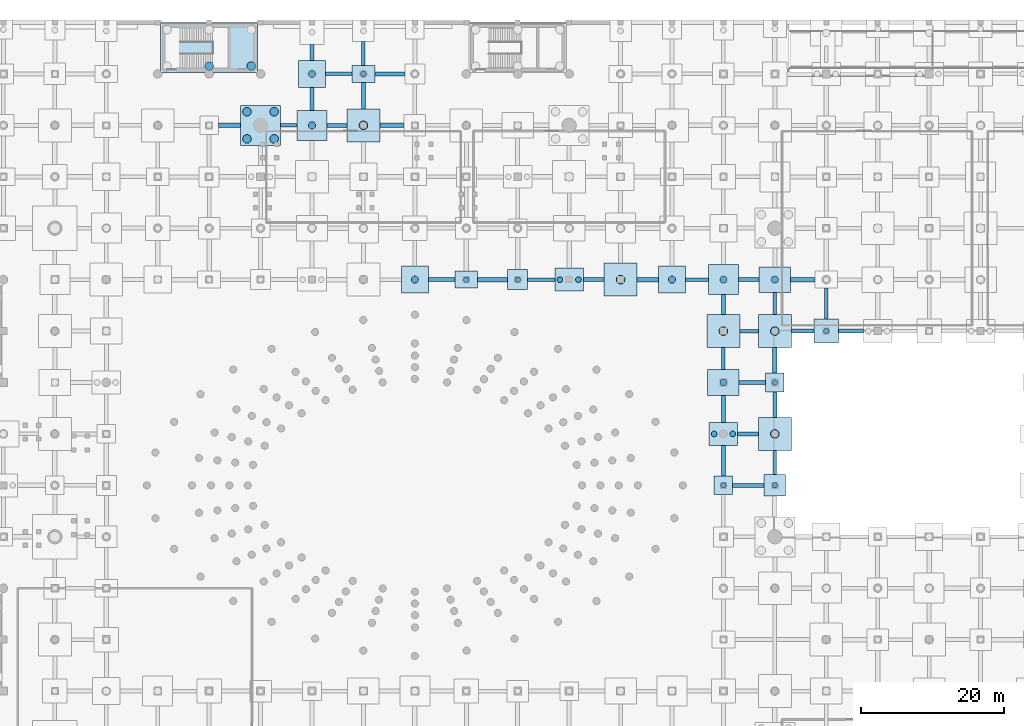
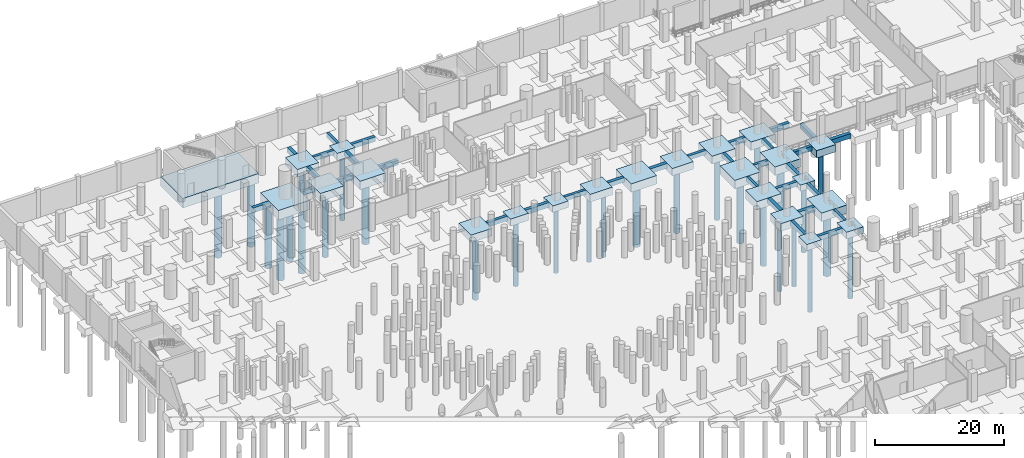
# One storey, part 9 of 37: 56 footings, 29 piles.
"""IFC4 building model written with IfcOpenShell, lengths in metres."""

import ifcopenshell
import ifcopenshell.guid

model = None  # the IFC model being written
_history = None  # IfcOwnerHistory: only IFC2X3 demands one
_inside = {}  # id of a spatial element -> (the spatial element, [elements in it])
_under = {}  # id of a project, library or spatial element -> (it, [spatial elements below it])
_declared = {}  # id of a project -> (the project, [libraries it declares])
_typed = {}  # id of a type object -> (the type object, [elements of that type])
_made_of = {}  # id of a material, layer set ... -> (it, [elements and type objects made of it])


def new_model(schema):
    """Start an empty IFC model of exactly this schema.

    Asked for "IFC4X3", IfcOpenShell would pick the latest addendum, in which some entities
    have other attributes; the version numbers below select the first issue.
    IFC2X3 requires an IfcOwnerHistory on every rooted entity: one is made here for all.
    """
    global model, _history
    if schema == "IFC4X3":
        model = ifcopenshell.file(schema_version=(4, 3, 0, 0))
    else:
        model = ifcopenshell.file(schema=schema)
    _inside.clear()
    _under.clear()
    _declared.clear()
    _typed.clear()
    _made_of.clear()
    _history = None
    if model.schema == "IFC2X3":
        org = make("IfcOrganization", Name="unknown")
        user = make(
            "IfcPersonAndOrganization",
            ThePerson=make("IfcPerson", FamilyName="unknown"),
            TheOrganization=org,
        )
        app = make(
            "IfcApplication",
            ApplicationDeveloper=org,
            Version="unknown",
            ApplicationFullName="unknown",
            ApplicationIdentifier="unknown",
        )
        _history = make(
            "IfcOwnerHistory",
            OwningUser=user,
            OwningApplication=app,
            ChangeAction="ADDED",
            CreationDate=0,
        )
    return model


def make(cls, **values):
    """One entity of the class cls with the attributes given. An attribute that is None is left unset."""
    return model.create_entity(
        cls, **{name: value for name, value in values.items() if value is not None}
    )


def rooted(cls, **values):
    """An entity with a GlobalId (a new one), such as an element, a storey or a relation."""
    return make(cls, GlobalId=ifcopenshell.guid.new(), OwnerHistory=_history, **values)


def si_unit(unit_type, name, prefix=None):
    """IfcSIUnit, for example si_unit("LENGTHUNIT", "METRE", prefix="MILLI")."""
    return make("IfcSIUnit", UnitType=unit_type, Prefix=prefix, Name=name)


def assignment(units):
    """IfcUnitAssignment: the units of a project."""
    return None if units is None else make("IfcUnitAssignment", Units=units)


def point(xyz):
    """IfcCartesianPoint."""
    return None if xyz is None else make("IfcCartesianPoint", Coordinates=xyz)


def direction(xyz):
    """IfcDirection."""
    return None if xyz is None else make("IfcDirection", DirectionRatios=xyz)


def frame(location, z_axis=None, x_axis=None):
    """IfcAxis2Placement3D, a coordinate frame: its origin and axes. An axis left out is left unset."""
    return make(
        "IfcAxis2Placement3D",
        Location=point(location),
        Axis=direction(z_axis),
        RefDirection=direction(x_axis),
    )


def frame_2d(location, x_axis=None):
    """IfcAxis2Placement2D, a coordinate frame in the plane: its origin and x axis."""
    return make(
        "IfcAxis2Placement2D", Location=point(location), RefDirection=direction(x_axis)
    )


def origin():
    """The frame at (0, 0, 0) with its axes left unset."""
    return frame((0.0, 0.0, 0.0))


def origin_2d():
    """The frame at (0, 0) in the plane with its x axis left unset."""
    return frame_2d((0.0, 0.0))


def place(relative_to, where):
    """IfcLocalPlacement: puts the frame where relative to a parent placement (None: the world)."""
    return make(
        "IfcLocalPlacement", PlacementRelTo=relative_to, RelativePlacement=where
    )


def context(
    kind, dimensions, precision=None, world=None, true_north=None, identifier=None
):
    """IfcGeometricRepresentationContext, for example the 3D "Model" context."""
    return make(
        "IfcGeometricRepresentationContext",
        ContextIdentifier=identifier,
        ContextType=kind,
        CoordinateSpaceDimension=dimensions,
        Precision=precision,
        WorldCoordinateSystem=world,
        TrueNorth=true_north,
    )


def subcontext(parent, identifier, kind, view, scale=None):
    """IfcGeometricRepresentationSubContext, for example "Body" below "Model"."""
    return make(
        "IfcGeometricRepresentationSubContext",
        ContextIdentifier=identifier,
        ContextType=kind,
        ParentContext=parent,
        TargetScale=scale,
        TargetView=view,
    )


def project(units=None, contexts=None):
    """IfcProject with its units and contexts."""
    return rooted(
        "IfcProject",
        Name="project",
        RepresentationContexts=contexts,
        UnitsInContext=assignment(units),
    )


def spatial(cls, under=None, at=None, **own):
    """A site, building, storey or space (cls), placed at a placement, below another one or the project."""
    s = rooted(cls, ObjectPlacement=at, **own)
    if under is not None:
        _under.setdefault(under.id(), (under, []))[1].append(s)
    return s


def profile(cls, at=None, kind="AREA", **sizes):
    """A parametric profile (cls). Its sizes go by their IFC names, for example OverallWidth=200.0."""
    return make(cls, ProfileType=kind, Position=at, **sizes)


def rectangle(**sizes):
    """IfcRectangleProfileDef."""
    return profile("IfcRectangleProfileDef", **sizes)


def circle(**sizes):
    """IfcCircleProfileDef."""
    return profile("IfcCircleProfileDef", **sizes)


def extrude(swept, where, along, depth):
    """IfcExtrudedAreaSolid: the profile swept, set in the frame where, extruded along a direction by depth."""
    return make(
        "IfcExtrudedAreaSolid",
        SweptArea=swept,
        Position=where,
        ExtrudedDirection=direction(along),
        Depth=depth,
    )


def shape(context_of_items, identifier, shape_type, items):
    """IfcShapeRepresentation: the items that make up one representation, for example the "Body"."""
    return make(
        "IfcShapeRepresentation",
        ContextOfItems=context_of_items,
        RepresentationIdentifier=identifier,
        RepresentationType=shape_type,
        Items=items,
    )


def material(Name=None, Category=None):
    """IfcMaterial."""
    return make("IfcMaterial", Name=Name, Category=Category)


def material_profile(
    of_material, cross_section, Name=None, Category=None, Priority=None
):
    """IfcMaterialProfile: a cross section and its material."""
    return make(
        "IfcMaterialProfile",
        Name=Name,
        Material=of_material,
        Profile=cross_section,
        Priority=Priority,
        Category=Category,
    )


def profile_set(profiles, Name=None, composite=None):
    """IfcMaterialProfileSet."""
    return make(
        "IfcMaterialProfileSet",
        Name=Name,
        MaterialProfiles=profiles,
        CompositeProfile=composite,
    )


def made_of(thing, what):
    """Note that an element or type object is made of a material, layer set ...; save() writes the relation."""
    if what is not None:
        _made_of.setdefault(what.id(), (what, []))[1].append(thing)
    return thing


def type_object(cls, material=None, **own):
    """A type object (cls), such as IfcWallType, which elements share."""
    return made_of(rooted(cls, **own), material)


def element(
    cls,
    number,
    at=None,
    inside=None,
    cuts=None,
    type_object=None,
    material=None,
    context=None,
    identifier="Body",
    shape_type=None,
    held_by="IfcProductDefinitionShape",
    body=None,
    shapes=None,
    **own,
):
    """One element of the class cls, such as IfcWall. Its Tag is "e" and its number.

    at: its placement. inside: the storey or other place that contains it. cuts: it is an
    opening in that element (IfcRelVoidsElement). A single representation is given by context,
    identifier, shape_type and body (its items); several are given by shapes. held_by: the class
    of the entity that holds the representations. save() writes the other relations.
    """
    e = rooted(cls, Tag="e%d" % number, ObjectPlacement=at, **own)
    if body is not None:
        shapes = [shape(context, identifier, shape_type, body)]
    if shapes is not None:
        e.Representation = make(held_by, Representations=shapes)
    if inside is not None:
        _inside.setdefault(inside.id(), (inside, []))[1].append(e)
    if cuts is not None:
        rooted(
            "IfcRelVoidsElement", RelatingBuildingElement=cuts, RelatedOpeningElement=e
        )
    if type_object is not None:
        _typed.setdefault(type_object.id(), (type_object, []))[1].append(e)
    return made_of(e, material)


def aggregate(whole, parts):
    """IfcRelAggregates: a whole, such as a stair, and the parts it consists of."""
    return rooted("IfcRelAggregates", RelatingObject=whole, RelatedObjects=parts)


def save(model, path):
    """Write the relations noted so far, then the file.

    IfcRelAggregates (storeys below a building ...), IfcRelContainedInSpatialStructure (elements
    in a storey), IfcRelDefinesByType, IfcRelAssociatesMaterial and IfcRelDeclares: one each for
    every whole, place, type object, material and project.
    """
    for whole, parts in _under.values():
        aggregate(whole, parts)
    for where, things in _inside.values():
        rooted(
            "IfcRelContainedInSpatialStructure",
            RelatedElements=things,
            RelatingStructure=where,
        )
    for kind, things in _typed.values():
        rooted("IfcRelDefinesByType", RelatedObjects=things, RelatingType=kind)
    for what, things in _made_of.values():
        rooted("IfcRelAssociatesMaterial", RelatedObjects=things, RelatingMaterial=what)
    for by, libraries in _declared.values():
        rooted("IfcRelDeclares", RelatingContext=by, RelatedDefinitions=libraries)
    model.write(path)


model = new_model("IFC4")

# Units and contexts
model_context = context("Model", 3, precision=1e-05, world=origin(), true_north=direction((0.0, 1.0)))
body_context = subcontext(model_context, "Body", "Model", "MODEL_VIEW")
ifc_project = project(units=[si_unit("LENGTHUNIT", "METRE"), si_unit("AREAUNIT", "SQUARE_METRE"), si_unit("VOLUMEUNIT", "CUBIC_METRE"), si_unit("PLANEANGLEUNIT", "RADIAN"), si_unit("MASSUNIT", "GRAM", prefix="KILO")], contexts=[model_context])

# Site, building, storey
site_placement = place(None, origin())
site = spatial("IfcSite", under=ifc_project, at=site_placement, CompositionType="ELEMENT")
building_placement = place(site_placement, origin())
building = spatial("IfcBuilding", under=site, at=building_placement, Name="Qandorah Velis Arena", CompositionType="ELEMENT")
storey_placement = place(building_placement, frame((0.0, 0.0, -5.39990234375)))
storey = spatial("IfcBuildingStorey", under=building, at=storey_placement, Name="B1", CompositionType="ELEMENT", Elevation=-5.39990234375)

# Footings
ifc_material = material(Name="Concrete C40/50", Category="concrete")
footing_type_1 = type_object("IfcFootingType", Name="STR-CAP-PC10", PredefinedType="PILE_CAP", material=ifc_material)
for number, where, z_axis, x_axis, name in (
    (1, (108.0, 64.800048828125, -1.2001953125), (0.0, 0.0, 1.0), (1.0, 0.0, 0.0), "Pile cap CAP-B1-217"),
    (2, (115.199951171875, 79.199951171875, -1.2001953125), (0.0, 0.0, 1.0), (1.0, 0.0, 0.0), "Pile cap CAP-B1-237"),
):
    element("IfcFooting", number, at=place(storey_placement, frame(where, z_axis=z_axis, x_axis=x_axis)), inside=storey, type_object=footing_type_1, Name=name, PredefinedType="PILE_CAP", context=body_context, shape_type="SweptSolid", body=[
        extrude(rectangle(XDim=2.60009765625, YDim=2.60009765625, at=origin_2d()), origin(), (0.0, 0.0, 1.0), 1.199951171875),
    ])
footing_type_2 = type_object("IfcFootingType", Name="STR-CAP-PC11", PredefinedType="PILE_CAP", material=ifc_material)
footing_1_placement = place(storey_placement, frame((36.0, 126.050048828125, -1.80029296875), z_axis=(0.0, 0.0, 1.0), x_axis=(1.0, 0.0, 0.0)))
element("IfcFooting", 3, at=footing_1_placement, inside=storey, type_object=footing_type_2, Name="Pile cap CAP-CORE-CORE-03", PredefinedType="PILE_CAP", context=body_context, shape_type="SweptSolid", body=[
    extrude(rectangle(XDim=13.60009765625, YDim=6.89990234375, at=origin_2d()), origin(), (0.0, 0.0, 1.0), 1.800048828125),
])
footing_type_3 = type_object("IfcFootingType", Name="STR-CAP-PC14", PredefinedType="PILE_CAP", material=ifc_material)
for number, where, z_axis, x_axis, name in (
    (4, (86.39990234375, 93.60009765625, -1.4501953125), (0.0, 0.0, 1.0), (1.0, 0.0, 0.0), "Pile cap CAP-B1-178"),
    (5, (108.0, 72.0, -1.4501953125), (0.0, 0.0, 1.0), (1.0, 0.0, 0.0), "Pile cap CAP-B1-218"),
):
    element("IfcFooting", number, at=place(storey_placement, frame(where, z_axis=z_axis, x_axis=x_axis)), inside=storey, type_object=footing_type_3, Name=name, PredefinedType="PILE_CAP", context=body_context, shape_type="SweptSolid", body=[
        extrude(rectangle(XDim=4.0, YDim=3.199951171875, at=origin_2d()), origin(), (0.0, 0.0, 1.0), 1.449951171875),
    ])
footing_type_4 = type_object("IfcFootingType", Name="STR-CAP-PC15", PredefinedType="PILE_CAP", material=ifc_material)
for number, where, z_axis, x_axis, name in (
    (6, (108.0, 79.199951171875, -1.55029296875), (0.0, 0.0, 1.0), (1.0, 0.0, 0.0), "Pile cap CAP-B1-219"),
    (7, (115.199951171875, 93.60009765625, -1.55029296875), (0.0, 0.0, 1.0), (1.0, 0.0, 0.0), "Pile cap CAP-B1-239"),
):
    element("IfcFooting", number, at=place(storey_placement, frame(where, z_axis=z_axis, x_axis=x_axis)), inside=storey, type_object=footing_type_4, Name=name, PredefinedType="PILE_CAP", context=body_context, shape_type="SweptSolid", body=[
        extrude(rectangle(XDim=4.39990234375, YDim=3.60009765625, at=origin_2d()), origin(), (0.0, 0.0, 1.0), 1.550048828125),
    ])
footing_type_5 = type_object("IfcFootingType", Name="STR-CAP-PC2", PredefinedType="PILE_CAP", material=ifc_material)
footing_2_placement = place(storey_placement, frame((43.199951171875, 115.199951171875, -1.80029296875), z_axis=(0.0, 0.0, 1.0), x_axis=(1.0, 0.0, 0.0)))
element("IfcFooting", 8, at=footing_2_placement, inside=storey, type_object=footing_type_5, Name="Pile cap CAP-B1-109", PredefinedType="PILE_CAP", context=body_context, shape_type="SweptSolid", body=[
    extrude(rectangle(XDim=5.60009765625, YDim=5.60009765625, at=origin_2d()), origin(), (0.0, 0.0, 1.0), 1.800048828125),
])
footing_type_6 = type_object("IfcFootingType", Name="STR-CAP-PC3", PredefinedType="PILE_CAP", material=ifc_material)
for number, where, z_axis, x_axis, name in (
    (9, (57.60009765625, 115.199951171875, -1.60009765625), (0.0, 0.0, 1.0), (1.0, 0.0, 0.0), "Pile cap CAP-B1-133"),
    (10, (93.60009765625, 93.60009765625, -1.60009765625), (0.0, 0.0, 1.0), (1.0, 0.0, 0.0), "Pile cap CAP-B1-190"),
    (11, (108.0, 86.39990234375, -1.60009765625), (0.0, 0.0, 1.0), (1.0, 0.0, 0.0), "Pile cap CAP-B1-220"),
    (12, (115.199951171875, 72.0, -1.60009765625), (0.0, 0.0, 1.0), (1.0, 0.0, 0.0), "Pile cap CAP-B1-236"),
    (13, (115.199951171875, 86.39990234375, -1.60009765625), (0.0, 0.0, 1.0), (1.0, 0.0, 0.0), "Pile cap CAP-B1-238"),
):
    element("IfcFooting", number, at=place(storey_placement, frame(where, z_axis=z_axis, x_axis=x_axis)), inside=storey, type_object=footing_type_6, Name=name, PredefinedType="PILE_CAP", context=body_context, shape_type="SweptSolid", body=[
        extrude(rectangle(XDim=4.60009765625, YDim=4.60009765625, at=origin_2d()), origin(), (0.0, 0.0, 1.0), 1.60009765625),
    ])
footing_type_7 = type_object("IfcFootingType", Name="STR-CAP-PC4", PredefinedType="PILE_CAP", material=ifc_material)
for number, where, z_axis, x_axis, name in (
    (14, (50.39990234375, 115.199951171875, -1.5), (0.0, 0.0, 1.0), (1.0, 0.0, 0.0), "Pile cap CAP-B1-121"),
    (15, (108.0, 93.60009765625, -1.5), (0.0, 0.0, 1.0), (1.0, 0.0, 0.0), "Pile cap CAP-B1-221"),
):
    element("IfcFooting", number, at=place(storey_placement, frame(where, z_axis=z_axis, x_axis=x_axis)), inside=storey, type_object=footing_type_7, Name=name, PredefinedType="PILE_CAP", context=body_context, shape_type="SweptSolid", body=[
        extrude(rectangle(XDim=4.199951171875, YDim=4.199951171875, at=origin_2d()), origin(), (0.0, 0.0, 1.0), 1.5),
    ])
footing_type_8 = type_object("IfcFootingType", Name="STR-CAP-PC5", PredefinedType="PILE_CAP", material=ifc_material)
for number, where, z_axis, x_axis, name in (
    (16, (50.39990234375, 122.39990234375, -1.400146484375), (0.0, 0.0, 1.0), (1.0, 0.0, 0.0), "Pile cap CAP-B1-122"),
    (17, (64.800048828125, 93.60009765625, -1.400146484375), (0.0, 0.0, 1.0), (1.0, 0.0, 0.0), "Pile cap CAP-B1-142"),
    (18, (100.800048828125, 93.60009765625, -1.400146484375), (0.0, 0.0, 1.0), (1.0, 0.0, 0.0), "Pile cap CAP-B1-202"),
):
    element("IfcFooting", number, at=place(storey_placement, frame(where, z_axis=z_axis, x_axis=x_axis)), inside=storey, type_object=footing_type_8, Name=name, PredefinedType="PILE_CAP", context=body_context, shape_type="SweptSolid", body=[
        extrude(rectangle(XDim=3.800048828125, YDim=3.800048828125, at=origin_2d()), origin(), (0.0, 0.0, 1.0), 1.39990234375),
    ])
footing_type_9 = type_object("IfcFootingType", Name="STR-CAP-PC6", PredefinedType="PILE_CAP", material=ifc_material)
footing_3_placement = place(storey_placement, frame((122.39990234375, 86.39990234375, -1.400146484375), z_axis=(0.0, 0.0, 1.0), x_axis=(1.0, 0.0, 0.0)))
element("IfcFooting", 19, at=footing_3_placement, inside=storey, type_object=footing_type_9, Name="Pile cap CAP-B1-253", PredefinedType="PILE_CAP", context=body_context, shape_type="SweptSolid", body=[
    extrude(rectangle(XDim=3.39990234375, YDim=3.39990234375, at=origin_2d()), origin(), (0.0, 0.0, 1.0), 1.39990234375),
])
footing_type_10 = type_object("IfcFootingType", Name="STR-CAP-PC7", PredefinedType="PILE_CAP", material=ifc_material)
for number, where, z_axis, x_axis, name in (
    (20, (57.60009765625, 122.39990234375, -1.35009765625), (0.0, 0.0, 1.0), (1.0, 0.0, 0.0), "Pile cap CAP-B1-134"),
    (21, (72.0, 93.60009765625, -1.35009765625), (0.0, 0.0, 1.0), (1.0, 0.0, 0.0), "Pile cap CAP-B1-154"),
):
    element("IfcFooting", number, at=place(storey_placement, frame(where, z_axis=z_axis, x_axis=x_axis)), inside=storey, type_object=footing_type_10, Name=name, PredefinedType="PILE_CAP", context=body_context, shape_type="SweptSolid", body=[
        extrude(rectangle(XDim=3.199951171875, YDim=2.39990234375, at=origin_2d()), origin(), (0.0, 0.0, 1.0), 1.35009765625),
    ])
footing_type_11 = type_object("IfcFootingType", Name="STR-CAP-PC8", PredefinedType="PILE_CAP", material=ifc_material)
footing_4_placement = place(storey_placement, frame((115.199951171875, 64.800048828125, -1.30029296875), z_axis=(0.0, 0.0, 1.0), x_axis=(1.0, 0.0, 0.0)))
element("IfcFooting", 22, at=footing_4_placement, inside=storey, type_object=footing_type_11, Name="Pile cap CAP-B1-235", PredefinedType="PILE_CAP", context=body_context, shape_type="SweptSolid", body=[
    extrude(rectangle(XDim=3.0, YDim=3.0, at=origin_2d()), origin(), (0.0, 0.0, 1.0), 1.300048828125),
])
footing_type_12 = type_object("IfcFootingType", Name="STR-CAP-PC9", PredefinedType="PILE_CAP", material=ifc_material)
footing_5_placement = place(storey_placement, frame((79.199951171875, 93.60009765625, -1.25), z_axis=(0.0, 0.0, 1.0), x_axis=(1.0, 0.0, 0.0)))
element("IfcFooting", 23, at=footing_5_placement, inside=storey, type_object=footing_type_12, Name="Pile cap CAP-B1-166", PredefinedType="PILE_CAP", context=body_context, shape_type="SweptSolid", body=[
    extrude(rectangle(XDim=2.800048828125, YDim=2.800048828125, at=origin_2d()), origin(), (0.0, 0.0, 1.0), 1.25),
])
ifc_material_profile_1 = material_profile(ifc_material, rectangle(XDim=0.60009765625, YDim=0.89990234375, at=origin_2d()), Name="GB1 600x900")
ifc_profile_set_1 = profile_set([ifc_material_profile_1], Name="Concrete C40/50")
footing_type_13 = type_object("IfcFootingType", Name="STR-GB-FB1", PredefinedType="FOOTING_BEAM", material=ifc_profile_set_1)
footing_6_placement = place(storey_placement, frame((50.39990234375, 124.300048828125, -0.4501953125), z_axis=(0.0, 1.0, 0.0), x_axis=(-1.0, 0.0, 0.0)))
element("IfcFooting", 24, at=footing_6_placement, inside=storey, type_object=footing_type_13, Name="Ground tie beam GB-084", PredefinedType="FOOTING_BEAM", context=body_context, shape_type="SweptSolid", body=[
    extrude(rectangle(XDim=0.60009765625, YDim=0.89990234375, at=origin_2d()), origin(), (0.0, 0.0, 1.0), 2.219970703125),
])
footing_7_placement = place(storey_placement, frame((57.60009765625, 117.5, -0.4501953125), z_axis=(0.0, 1.0, 0.0), x_axis=(-1.0, 0.0, 0.0)))
element("IfcFooting", 25, at=footing_7_placement, inside=storey, type_object=footing_type_13, Name="Ground tie beam GB-093", PredefinedType="FOOTING_BEAM", context=body_context, shape_type="SweptSolid", body=[
    extrude(rectangle(XDim=0.60009765625, YDim=0.89990234375, at=origin_2d()), origin(), (0.0, 0.0, 1.0), 3.699951171875),
])
footing_8_placement = place(storey_placement, frame((108.0, 73.60009765625, -0.4501953125), z_axis=(0.0, 1.0, 0.0), x_axis=(-1.0, 0.0, 0.0)))
element("IfcFooting", 26, at=footing_8_placement, inside=storey, type_object=footing_type_13, Name="Ground tie beam GB-153", PredefinedType="FOOTING_BEAM", context=body_context, shape_type="SweptSolid", body=[
    extrude(rectangle(XDim=0.60009765625, YDim=0.89990234375, at=origin_2d()), origin(), (0.0, 0.0, 1.0), 3.7998046875),
])
footing_9_placement = place(storey_placement, frame((115.199951171875, 80.5, -0.4501953125), z_axis=(0.0, 1.0, 0.0), x_axis=(-1.0, 0.0, 0.0)))
element("IfcFooting", 27, at=footing_9_placement, inside=storey, type_object=footing_type_13, Name="Ground tie beam GB-171", PredefinedType="FOOTING_BEAM", context=body_context, shape_type="SweptSolid", body=[
    extrude(rectangle(XDim=0.60009765625, YDim=0.89990234375, at=origin_2d()), origin(), (0.0, 0.0, 1.0), 3.60009765625),
])
footing_10_placement = place(storey_placement, frame((110.0, 72.0, -0.4501953125), z_axis=(1.0, 0.0, 0.0), x_axis=(0.0, 1.0, 0.0)))
element("IfcFooting", 28, at=footing_10_placement, inside=storey, type_object=footing_type_13, Name="Ground tie beam GB-414", PredefinedType="FOOTING_BEAM", context=body_context, shape_type="SweptSolid", body=[
    extrude(rectangle(XDim=0.60009765625, YDim=0.89990234375, at=origin_2d()), origin(), (0.0, 0.0, 1.0), 2.89990234375),
])
footing_11_placement = place(storey_placement, frame((124.10009765625, 86.39990234375, -0.4501953125), z_axis=(1.0, 0.0, 0.0), x_axis=(0.0, 1.0, 0.0)))
element("IfcFooting", 29, at=footing_11_placement, inside=storey, type_object=footing_type_13, Name="Ground tie beam GB-423", PredefinedType="FOOTING_BEAM", context=body_context, shape_type="SweptSolid", body=[
    extrude(rectangle(XDim=0.60009765625, YDim=0.89990234375, at=origin_2d()), origin(), (0.0, 0.0, 1.0), 3.5),
])
footing_12_placement = place(storey_placement, frame((73.60009765625, 93.60009765625, -0.4501953125), z_axis=(1.0, 0.0, 0.0), x_axis=(0.0, 1.0, 0.0)))
element("IfcFooting", 30, at=footing_12_placement, inside=storey, type_object=footing_type_13, Name="Ground tie beam GB-435", PredefinedType="FOOTING_BEAM", context=body_context, shape_type="SweptSolid", body=[
    extrude(rectangle(XDim=0.60009765625, YDim=0.89990234375, at=origin_2d()), origin(), (0.0, 0.0, 1.0), 4.199951171875),
])
footing_13_placement = place(storey_placement, frame((95.89990234375, 93.60009765625, -0.4501953125), z_axis=(1.0, 0.0, 0.0), x_axis=(0.0, 1.0, 0.0)))
element("IfcFooting", 31, at=footing_13_placement, inside=storey, type_object=footing_type_13, Name="Ground tie beam GB-438", PredefinedType="FOOTING_BEAM", context=body_context, shape_type="SweptSolid", body=[
    extrude(rectangle(XDim=0.60009765625, YDim=0.89990234375, at=origin_2d()), origin(), (0.0, 0.0, 1.0), 3.0),
])
footing_14_placement = place(storey_placement, frame((117.39990234375, 93.60009765625, -0.4501953125), z_axis=(1.0, 0.0, 0.0), x_axis=(0.0, 1.0, 0.0)))
element("IfcFooting", 32, at=footing_14_placement, inside=storey, type_object=footing_type_13, Name="Ground tie beam GB-441", PredefinedType="FOOTING_BEAM", context=body_context, shape_type="SweptSolid", body=[
    extrude(rectangle(XDim=0.60009765625, YDim=0.89990234375, at=origin_2d()), origin(), (0.0, 0.0, 1.0), 3.400146484375),
])
footing_15_placement = place(storey_placement, frame((37.300048828125, 115.199951171875, -0.4501953125), z_axis=(1.0, 0.0, 0.0), x_axis=(0.0, 1.0, 0.0)))
element("IfcFooting", 33, at=footing_15_placement, inside=storey, type_object=footing_type_13, Name="Ground tie beam GB-495", PredefinedType="FOOTING_BEAM", context=body_context, shape_type="SweptSolid", body=[
    extrude(rectangle(XDim=0.60009765625, YDim=0.89990234375, at=origin_2d()), origin(), (0.0, 0.0, 1.0), 3.099853515625),
])
footing_16_placement = place(storey_placement, frame((59.89990234375, 115.199951171875, -0.4501953125), z_axis=(1.0, 0.0, 0.0), x_axis=(0.0, 1.0, 0.0)))
element("IfcFooting", 34, at=footing_16_placement, inside=storey, type_object=footing_type_13, Name="Ground tie beam GB-498", PredefinedType="FOOTING_BEAM", context=body_context, shape_type="SweptSolid", body=[
    extrude(rectangle(XDim=0.60009765625, YDim=0.89990234375, at=origin_2d()), origin(), (0.0, 0.0, 1.0), 3.400146484375),
])
ifc_material_profile_2 = material_profile(ifc_material, rectangle(XDim=0.5, YDim=0.800048828125, at=origin_2d()), Name="GB2 500x800")
ifc_profile_set_2 = profile_set([ifc_material_profile_2], Name="Concrete C40/50")
footing_type_14 = type_object("IfcFootingType", Name="STR-GB-FB2", PredefinedType="FOOTING_BEAM", material=ifc_profile_set_2)
footing_17_placement = place(storey_placement, frame((57.60009765625, 123.60009765625, -0.400146484375), z_axis=(0.0, 1.0, 0.0), x_axis=(-1.0, 0.0, 0.0)))
element("IfcFooting", 35, at=footing_17_placement, inside=storey, type_object=footing_type_14, Name="Ground tie beam GB-094", PredefinedType="FOOTING_BEAM", context=body_context, shape_type="SweptSolid", body=[
    extrude(rectangle(XDim=0.5, YDim=0.800048828125, at=origin_2d()), origin(), (0.0, 0.0, 1.0), 3.31982421875),
])
footing_18_placement = place(storey_placement, frame((108.0, 81.0, -0.400146484375), z_axis=(0.0, 1.0, 0.0), x_axis=(-1.0, 0.0, 0.0)))
element("IfcFooting", 36, at=footing_18_placement, inside=storey, type_object=footing_type_14, Name="Ground tie beam GB-154", PredefinedType="FOOTING_BEAM", context=body_context, shape_type="SweptSolid", body=[
    extrude(rectangle(XDim=0.5, YDim=0.800048828125, at=origin_2d()), origin(), (0.0, 0.0, 1.0), 3.10009765625),
])
footing_19_placement = place(storey_placement, frame((115.199951171875, 66.300048828125, -0.400146484375), z_axis=(0.0, 1.0, 0.0), x_axis=(-1.0, 0.0, 0.0)))
element("IfcFooting", 37, at=footing_19_placement, inside=storey, type_object=footing_type_14, Name="Ground tie beam GB-169", PredefinedType="FOOTING_BEAM", context=body_context, shape_type="SweptSolid", body=[
    extrude(rectangle(XDim=0.5, YDim=0.800048828125, at=origin_2d()), origin(), (0.0, 0.0, 1.0), 3.39990234375),
])
footing_20_placement = place(storey_placement, frame((115.199951171875, 88.699951171875, -0.400146484375), z_axis=(0.0, 1.0, 0.0), x_axis=(-1.0, 0.0, 0.0)))
element("IfcFooting", 38, at=footing_20_placement, inside=storey, type_object=footing_type_14, Name="Ground tie beam GB-172", PredefinedType="FOOTING_BEAM", context=body_context, shape_type="SweptSolid", body=[
    extrude(rectangle(XDim=0.5, YDim=0.800048828125, at=origin_2d()), origin(), (0.0, 0.0, 1.0), 3.10009765625),
])
footing_21_placement = place(storey_placement, frame((110.300048828125, 86.39990234375, -0.400146484375), z_axis=(1.0, 0.0, 0.0), x_axis=(0.0, 1.0, 0.0)))
element("IfcFooting", 39, at=footing_21_placement, inside=storey, type_object=footing_type_14, Name="Ground tie beam GB-421", PredefinedType="FOOTING_BEAM", context=body_context, shape_type="SweptSolid", body=[
    extrude(rectangle(XDim=0.5, YDim=0.800048828125, at=origin_2d()), origin(), (0.0, 0.0, 1.0), 2.599853515625),
])
footing_22_placement = place(storey_placement, frame((80.60009765625, 93.60009765625, -0.400146484375), z_axis=(1.0, 0.0, 0.0), x_axis=(0.0, 1.0, 0.0)))
element("IfcFooting", 40, at=footing_22_placement, inside=storey, type_object=footing_type_14, Name="Ground tie beam GB-436", PredefinedType="FOOTING_BEAM", context=body_context, shape_type="SweptSolid", body=[
    extrude(rectangle(XDim=0.5, YDim=0.800048828125, at=origin_2d()), origin(), (0.0, 0.0, 1.0), 3.7998046875),
])
footing_23_placement = place(storey_placement, frame((102.699951171875, 93.60009765625, -0.400146484375), z_axis=(1.0, 0.0, 0.0), x_axis=(0.0, 1.0, 0.0)))
element("IfcFooting", 41, at=footing_23_placement, inside=storey, type_object=footing_type_14, Name="Ground tie beam GB-439", PredefinedType="FOOTING_BEAM", context=body_context, shape_type="SweptSolid", body=[
    extrude(rectangle(XDim=0.5, YDim=0.800048828125, at=origin_2d()), origin(), (0.0, 0.0, 1.0), 3.199951171875),
])
footing_24_placement = place(storey_placement, frame((46.0, 115.199951171875, -0.400146484375), z_axis=(1.0, 0.0, 0.0), x_axis=(0.0, 1.0, 0.0)))
element("IfcFooting", 42, at=footing_24_placement, inside=storey, type_object=footing_type_14, Name="Ground tie beam GB-496", PredefinedType="FOOTING_BEAM", context=body_context, shape_type="SweptSolid", body=[
    extrude(rectangle(XDim=0.5, YDim=0.800048828125, at=origin_2d()), origin(), (0.0, 0.0, 1.0), 2.300048828125),
])
footing_25_placement = place(storey_placement, frame((52.300048828125, 122.39990234375, -0.400146484375), z_axis=(1.0, 0.0, 0.0), x_axis=(0.0, 1.0, 0.0)))
element("IfcFooting", 43, at=footing_25_placement, inside=storey, type_object=footing_type_14, Name="Ground tie beam GB-517", PredefinedType="FOOTING_BEAM", context=body_context, shape_type="SweptSolid", body=[
    extrude(rectangle(XDim=0.5, YDim=0.800048828125, at=origin_2d()), origin(), (0.0, 0.0, 1.0), 3.699951171875),
])
ifc_material_profile_3 = material_profile(ifc_material, rectangle(XDim=0.550048828125, YDim=0.85009765625, at=origin_2d()), Name="GB3 550x850")
ifc_profile_set_3 = profile_set([ifc_material_profile_3], Name="Concrete C40/50")
footing_type_15 = type_object("IfcFootingType", Name="STR-GB-FB3", PredefinedType="FOOTING_BEAM", material=ifc_profile_set_3)
footing_26_placement = place(storey_placement, frame((50.39990234375, 117.300048828125, -0.425048828125), z_axis=(0.0, 1.0, 0.0), x_axis=(-1.0, 0.0, 0.0)))
element("IfcFooting", 44, at=footing_26_placement, inside=storey, type_object=footing_type_15, Name="Ground tie beam GB-083", PredefinedType="FOOTING_BEAM", context=body_context, shape_type="SweptSolid", body=[
    extrude(rectangle(XDim=0.550048828125, YDim=0.85009765625, at=origin_2d()), origin(), (0.0, 0.0, 1.0), 3.199951171875),
])
footing_27_placement = place(storey_placement, frame((108.0, 66.10009765625, -0.425048828125), z_axis=(0.0, 1.0, 0.0), x_axis=(-1.0, 0.0, 0.0)))
element("IfcFooting", 45, at=footing_27_placement, inside=storey, type_object=footing_type_15, Name="Ground tie beam GB-152", PredefinedType="FOOTING_BEAM", context=body_context, shape_type="SweptSolid", body=[
    extrude(rectangle(XDim=0.550048828125, YDim=0.85009765625, at=origin_2d()), origin(), (0.0, 0.0, 1.0), 4.2998046875),
])
footing_28_placement = place(storey_placement, frame((108.0, 88.699951171875, -0.425048828125), z_axis=(0.0, 1.0, 0.0), x_axis=(-1.0, 0.0, 0.0)))
element("IfcFooting", 46, at=footing_28_placement, inside=storey, type_object=footing_type_15, Name="Ground tie beam GB-155", PredefinedType="FOOTING_BEAM", context=body_context, shape_type="SweptSolid", body=[
    extrude(rectangle(XDim=0.550048828125, YDim=0.85009765625, at=origin_2d()), origin(), (0.0, 0.0, 1.0), 2.800048828125),
])
footing_29_placement = place(storey_placement, frame((115.199951171875, 74.300048828125, -0.425048828125), z_axis=(0.0, 1.0, 0.0), x_axis=(-1.0, 0.0, 0.0)))
element("IfcFooting", 47, at=footing_29_placement, inside=storey, type_object=footing_type_15, Name="Ground tie beam GB-170", PredefinedType="FOOTING_BEAM", context=body_context, shape_type="SweptSolid", body=[
    extrude(rectangle(XDim=0.550048828125, YDim=0.85009765625, at=origin_2d()), origin(), (0.0, 0.0, 1.0), 3.599853515625),
])
footing_30_placement = place(storey_placement, frame((122.39990234375, 88.10009765625, -0.425048828125), z_axis=(0.0, 1.0, 0.0), x_axis=(-1.0, 0.0, 0.0)))
element("IfcFooting", 48, at=footing_30_placement, inside=storey, type_object=footing_type_15, Name="Ground tie beam GB-185", PredefinedType="FOOTING_BEAM", context=body_context, shape_type="SweptSolid", body=[
    extrude(rectangle(XDim=0.550048828125, YDim=0.85009765625, at=origin_2d()), origin(), (0.0, 0.0, 1.0), 4.2998046875),
])
footing_31_placement = place(storey_placement, frame((109.300048828125, 64.800048828125, -0.425048828125), z_axis=(1.0, 0.0, 0.0), x_axis=(0.0, 1.0, 0.0)))
element("IfcFooting", 49, at=footing_31_placement, inside=storey, type_object=footing_type_15, Name="Ground tie beam GB-407", PredefinedType="FOOTING_BEAM", context=body_context, shape_type="SweptSolid", body=[
    extrude(rectangle(XDim=0.550048828125, YDim=0.85009765625, at=origin_2d()), origin(), (0.0, 0.0, 1.0), 4.39990234375),
])
footing_32_placement = place(storey_placement, frame((110.199951171875, 79.199951171875, -0.425048828125), z_axis=(1.0, 0.0, 0.0), x_axis=(0.0, 1.0, 0.0)))
element("IfcFooting", 50, at=footing_32_placement, inside=storey, type_object=footing_type_15, Name="Ground tie beam GB-419", PredefinedType="FOOTING_BEAM", context=body_context, shape_type="SweptSolid", body=[
    extrude(rectangle(XDim=0.550048828125, YDim=0.85009765625, at=origin_2d()), origin(), (0.0, 0.0, 1.0), 3.699951171875),
])
footing_33_placement = place(storey_placement, frame((117.5, 86.39990234375, -0.425048828125), z_axis=(1.0, 0.0, 0.0), x_axis=(0.0, 1.0, 0.0)))
element("IfcFooting", 51, at=footing_33_placement, inside=storey, type_object=footing_type_15, Name="Ground tie beam GB-422", PredefinedType="FOOTING_BEAM", context=body_context, shape_type="SweptSolid", body=[
    extrude(rectangle(XDim=0.550048828125, YDim=0.85009765625, at=origin_2d()), origin(), (0.0, 0.0, 1.0), 3.199951171875),
])
footing_34_placement = place(storey_placement, frame((66.699951171875, 93.60009765625, -0.425048828125), z_axis=(1.0, 0.0, 0.0), x_axis=(0.0, 1.0, 0.0)))
element("IfcFooting", 52, at=footing_34_placement, inside=storey, type_object=footing_type_15, Name="Ground tie beam GB-434", PredefinedType="FOOTING_BEAM", context=body_context, shape_type="SweptSolid", body=[
    extrude(rectangle(XDim=0.550048828125, YDim=0.85009765625, at=origin_2d()), origin(), (0.0, 0.0, 1.0), 3.699951171875),
])
footing_35_placement = place(storey_placement, frame((88.39990234375, 93.60009765625, -0.425048828125), z_axis=(1.0, 0.0, 0.0), x_axis=(0.0, 1.0, 0.0)))
element("IfcFooting", 53, at=footing_35_placement, inside=storey, type_object=footing_type_15, Name="Ground tie beam GB-437", PredefinedType="FOOTING_BEAM", context=body_context, shape_type="SweptSolid", body=[
    extrude(rectangle(XDim=0.550048828125, YDim=0.85009765625, at=origin_2d()), origin(), (0.0, 0.0, 1.0), 2.900146484375),
])
footing_36_placement = place(storey_placement, frame((110.10009765625, 93.60009765625, -0.425048828125), z_axis=(1.0, 0.0, 0.0), x_axis=(0.0, 1.0, 0.0)))
element("IfcFooting", 54, at=footing_36_placement, inside=storey, type_object=footing_type_15, Name="Ground tie beam GB-440", PredefinedType="FOOTING_BEAM", context=body_context, shape_type="SweptSolid", body=[
    extrude(rectangle(XDim=0.550048828125, YDim=0.85009765625, at=origin_2d()), origin(), (0.0, 0.0, 1.0), 2.89990234375),
])
footing_37_placement = place(storey_placement, frame((52.5, 115.199951171875, -0.425048828125), z_axis=(1.0, 0.0, 0.0), x_axis=(0.0, 1.0, 0.0)))
element("IfcFooting", 55, at=footing_37_placement, inside=storey, type_object=footing_type_15, Name="Ground tie beam GB-497", PredefinedType="FOOTING_BEAM", context=body_context, shape_type="SweptSolid", body=[
    extrude(rectangle(XDim=0.550048828125, YDim=0.85009765625, at=origin_2d()), origin(), (0.0, 0.0, 1.0), 2.800048828125),
])
footing_38_placement = place(storey_placement, frame((59.199951171875, 122.39990234375, -0.425048828125), z_axis=(1.0, 0.0, 0.0), x_axis=(0.0, 1.0, 0.0)))
element("IfcFooting", 56, at=footing_38_placement, inside=storey, type_object=footing_type_15, Name="Ground tie beam GB-518", PredefinedType="FOOTING_BEAM", context=body_context, shape_type="SweptSolid", body=[
    extrude(rectangle(XDim=0.550048828125, YDim=0.85009765625, at=origin_2d()), origin(), (0.0, 0.0, 1.0), 4.199951171875),
])

# Piles
ifc_material_profile_4 = material_profile(ifc_material, circle(Radius=0.5, at=origin_2d()), Name="BORED PILE D1000")
ifc_profile_set_4 = profile_set([ifc_material_profile_4], Name="Concrete C40/50")
pile_type_1 = type_object("IfcPileType", Name="STR-PILE-BP1000", PredefinedType="BORED", material=ifc_profile_set_4)
pile_1_placement = place(storey_placement, frame((50.39990234375, 115.199951171875, -1.400146484375), z_axis=(0.0, 0.0, -1.0), x_axis=(1.0, 0.0, 0.0)))
element("IfcPile", 57, at=pile_1_placement, inside=storey, type_object=pile_type_1, Name="Bored pile PILE-CAP-B1-121-11", PredefinedType="BORED", context=body_context, shape_type="SweptSolid", body=[
    extrude(circle(Radius=0.5, at=origin_2d()), origin(), (0.0, 0.0, 1.0), 12.39990234375),
])
for number, where, z_axis, x_axis, name in (
    (58, (50.39990234375, 122.39990234375, -1.300048828125), (0.0, 0.0, -1.0), (1.0, 0.0, 0.0), "Bored pile PILE-CAP-B1-122-11"),
    (59, (64.800048828125, 93.60009765625, -1.300048828125), (0.0, 0.0, -1.0), (1.0, 0.0, 0.0), "Bored pile PILE-CAP-B1-142-11"),
    (60, (100.800048828125, 93.60009765625, -1.300048828125), (0.0, 0.0, -1.0), (1.0, 0.0, 0.0), "Bored pile PILE-CAP-B1-202-11"),
):
    element("IfcPile", number, at=place(storey_placement, frame(where, z_axis=z_axis, x_axis=x_axis)), inside=storey, type_object=pile_type_1, Name=name, PredefinedType="BORED", context=body_context, shape_type="SweptSolid", body=[
        extrude(circle(Radius=0.5, at=origin_2d()), origin(), (0.0, 0.0, 1.0), 12.5),
    ])
pile_2_placement = place(storey_placement, frame((108.0, 79.199951171875, -1.4501953125), z_axis=(0.0, 0.0, -1.0), x_axis=(1.0, 0.0, 0.0)))
element("IfcPile", 61, at=pile_2_placement, inside=storey, type_object=pile_type_1, Name="Bored pile PILE-CAP-B1-219-11", PredefinedType="BORED", context=body_context, shape_type="SweptSolid", body=[
    extrude(circle(Radius=0.5, at=origin_2d()), origin(), (0.0, 0.0, 1.0), 12.35009765625),
])
pile_3_placement = place(storey_placement, frame((108.0, 93.60009765625, -1.400146484375), z_axis=(0.0, 0.0, -1.0), x_axis=(1.0, 0.0, 0.0)))
element("IfcPile", 62, at=pile_3_placement, inside=storey, type_object=pile_type_1, Name="Bored pile PILE-CAP-B1-221-11", PredefinedType="BORED", context=body_context, shape_type="SweptSolid", body=[
    extrude(circle(Radius=0.5, at=origin_2d()), origin(), (0.0, 0.0, 1.0), 12.39990234375),
])
pile_4_placement = place(storey_placement, frame((115.199951171875, 93.60009765625, -1.4501953125), z_axis=(0.0, 0.0, -1.0), x_axis=(1.0, 0.0, 0.0)))
element("IfcPile", 63, at=pile_4_placement, inside=storey, type_object=pile_type_1, Name="Bored pile PILE-CAP-B1-239-11", PredefinedType="BORED", context=body_context, shape_type="SweptSolid", body=[
    extrude(circle(Radius=0.5, at=origin_2d()), origin(), (0.0, 0.0, 1.0), 12.35009765625),
])
ifc_material_profile_5 = material_profile(ifc_material, circle(Radius=0.60009765625, at=origin_2d()), Name="BORED PILE D1200")
ifc_profile_set_5 = profile_set([ifc_material_profile_5], Name="Concrete C40/50")
pile_type_2 = type_object("IfcPileType", Name="STR-PILE-BP1200", PredefinedType="BORED", material=ifc_profile_set_5)
for number, where, z_axis, x_axis, name in (
    (64, (36.0, 123.5, -1.7001953125), (0.0, 0.0, -1.0), (1.0, 0.0, 0.0), "Bored pile PILE-CAP-CORE-CORE-03-21"),
    (65, (41.89990234375, 123.5, -1.7001953125), (0.0, 0.0, -1.0), (1.0, 0.0, 0.0), "Bored pile PILE-CAP-CORE-CORE-03-31"),
    (66, (41.300048828125, 113.300048828125, -1.7001953125), (0.0, 0.0, -1.0), (1.0, 0.0, 0.0), "Bored pile PILE-CAP-B1-109-11"),
    (67, (41.300048828125, 117.10009765625, -1.7001953125), (0.0, 0.0, -1.0), (1.0, 0.0, 0.0), "Bored pile PILE-CAP-B1-109-12"),
    (68, (45.10009765625, 113.300048828125, -1.7001953125), (0.0, 0.0, -1.0), (1.0, 0.0, 0.0), "Bored pile PILE-CAP-B1-109-21"),
    (69, (45.10009765625, 117.10009765625, -1.7001953125), (0.0, 0.0, -1.0), (1.0, 0.0, 0.0), "Bored pile PILE-CAP-B1-109-22"),
):
    element("IfcPile", number, at=place(storey_placement, frame(where, z_axis=z_axis, x_axis=x_axis)), inside=storey, type_object=pile_type_2, Name=name, PredefinedType="BORED", context=body_context, shape_type="SweptSolid", body=[
        extrude(circle(Radius=0.60009765625, at=origin_2d()), origin(), (0.0, 0.0, 1.0), 12.10009765625),
    ])
for number, where, z_axis, x_axis, name in (
    (70, (57.60009765625, 115.199951171875, -1.5), (0.0, 0.0, -1.0), (1.0, 0.0, 0.0), "Bored pile PILE-CAP-B1-133-11"),
    (71, (93.60009765625, 93.60009765625, -1.5), (0.0, 0.0, -1.0), (1.0, 0.0, 0.0), "Bored pile PILE-CAP-B1-190-11"),
    (72, (108.0, 86.39990234375, -1.5), (0.0, 0.0, -1.0), (1.0, 0.0, 0.0), "Bored pile PILE-CAP-B1-220-11"),
    (73, (115.199951171875, 72.0, -1.5), (0.0, 0.0, -1.0), (1.0, 0.0, 0.0), "Bored pile PILE-CAP-B1-236-11"),
    (74, (115.199951171875, 86.39990234375, -1.5), (0.0, 0.0, -1.0), (1.0, 0.0, 0.0), "Bored pile PILE-CAP-B1-238-11"),
):
    element("IfcPile", number, at=place(storey_placement, frame(where, z_axis=z_axis, x_axis=x_axis)), inside=storey, type_object=pile_type_2, Name=name, PredefinedType="BORED", context=body_context, shape_type="SweptSolid", body=[
        extrude(circle(Radius=0.60009765625, at=origin_2d()), origin(), (0.0, 0.0, 1.0), 12.300048828125),
    ])
ifc_material_profile_6 = material_profile(ifc_material, circle(Radius=0.39990234375, at=origin_2d()), Name="BORED PILE D800")
ifc_profile_set_6 = profile_set([ifc_material_profile_6], Name="Concrete C40/50")
pile_type_3 = type_object("IfcPileType", Name="STR-PILE-BP800", PredefinedType="BORED", material=ifc_profile_set_6)
for number, where, z_axis, x_axis, name in (
    (75, (57.60009765625, 122.39990234375, -1.25), (0.0, 0.0, -1.0), (1.0, 0.0, 0.0), "Bored pile PILE-CAP-B1-134-11"),
    (76, (72.0, 93.60009765625, -1.25), (0.0, 0.0, -1.0), (1.0, 0.0, 0.0), "Bored pile PILE-CAP-B1-154-11"),
):
    element("IfcPile", number, at=place(storey_placement, frame(where, z_axis=z_axis, x_axis=x_axis)), inside=storey, type_object=pile_type_3, Name=name, PredefinedType="BORED", context=body_context, shape_type="SweptSolid", body=[
        extrude(circle(Radius=0.39990234375, at=origin_2d()), origin(), (0.0, 0.0, 1.0), 12.550048828125),
    ])
pile_5_placement = place(storey_placement, frame((79.199951171875, 93.60009765625, -1.150146484375), z_axis=(0.0, 0.0, -1.0), x_axis=(1.0, 0.0, 0.0)))
element("IfcPile", 77, at=pile_5_placement, inside=storey, type_object=pile_type_3, Name="Bored pile PILE-CAP-B1-166-11", PredefinedType="BORED", context=body_context, shape_type="SweptSolid", body=[
    extrude(circle(Radius=0.39990234375, at=origin_2d()), origin(), (0.0, 0.0, 1.0), 12.64990234375),
])
for number, where, z_axis, x_axis, name in (
    (78, (85.10009765625, 93.60009765625, -1.35009765625), (0.0, 0.0, -1.0), (1.0, 0.0, 0.0), "Bored pile PILE-CAP-B1-178-11"),
    (79, (87.699951171875, 93.60009765625, -1.35009765625), (0.0, 0.0, -1.0), (1.0, 0.0, 0.0), "Bored pile PILE-CAP-B1-178-21"),
):
    element("IfcPile", number, at=place(storey_placement, frame(where, z_axis=z_axis, x_axis=x_axis)), inside=storey, type_object=pile_type_3, Name=name, PredefinedType="BORED", context=body_context, shape_type="SweptSolid", body=[
        extrude(circle(Radius=0.39990234375, at=origin_2d()), origin(), (0.0, 0.0, 1.0), 12.449951171875),
    ])
pile_6_placement = place(storey_placement, frame((108.0, 64.800048828125, -1.10009765625), z_axis=(0.0, 0.0, -1.0), x_axis=(1.0, 0.0, 0.0)))
element("IfcPile", 80, at=pile_6_placement, inside=storey, type_object=pile_type_3, Name="Bored pile PILE-CAP-B1-217-11", PredefinedType="BORED", context=body_context, shape_type="SweptSolid", body=[
    extrude(circle(Radius=0.39990234375, at=origin_2d()), origin(), (0.0, 0.0, 1.0), 12.699951171875),
])
for number, where, z_axis, x_axis, name in (
    (81, (106.699951171875, 72.0, -1.35009765625), (0.0, 0.0, -1.0), (1.0, 0.0, 0.0), "Bored pile PILE-CAP-B1-218-11"),
    (82, (109.300048828125, 72.0, -1.35009765625), (0.0, 0.0, -1.0), (1.0, 0.0, 0.0), "Bored pile PILE-CAP-B1-218-21"),
):
    element("IfcPile", number, at=place(storey_placement, frame(where, z_axis=z_axis, x_axis=x_axis)), inside=storey, type_object=pile_type_3, Name=name, PredefinedType="BORED", context=body_context, shape_type="SweptSolid", body=[
        extrude(circle(Radius=0.39990234375, at=origin_2d()), origin(), (0.0, 0.0, 1.0), 12.449951171875),
    ])
pile_7_placement = place(storey_placement, frame((115.199951171875, 64.800048828125, -1.2001953125), z_axis=(0.0, 0.0, -1.0), x_axis=(1.0, 0.0, 0.0)))
element("IfcPile", 83, at=pile_7_placement, inside=storey, type_object=pile_type_3, Name="Bored pile PILE-CAP-B1-235-11", PredefinedType="BORED", context=body_context, shape_type="SweptSolid", body=[
    extrude(circle(Radius=0.39990234375, at=origin_2d()), origin(), (0.0, 0.0, 1.0), 12.60009765625),
])
pile_8_placement = place(storey_placement, frame((115.199951171875, 79.199951171875, -1.10009765625), z_axis=(0.0, 0.0, -1.0), x_axis=(1.0, 0.0, 0.0)))
element("IfcPile", 84, at=pile_8_placement, inside=storey, type_object=pile_type_3, Name="Bored pile PILE-CAP-B1-237-11", PredefinedType="BORED", context=body_context, shape_type="SweptSolid", body=[
    extrude(circle(Radius=0.39990234375, at=origin_2d()), origin(), (0.0, 0.0, 1.0), 12.699951171875),
])
pile_9_placement = place(storey_placement, frame((122.39990234375, 86.39990234375, -1.300048828125), z_axis=(0.0, 0.0, -1.0), x_axis=(1.0, 0.0, 0.0)))
element("IfcPile", 85, at=pile_9_placement, inside=storey, type_object=pile_type_3, Name="Bored pile PILE-CAP-B1-253-11", PredefinedType="BORED", context=body_context, shape_type="SweptSolid", body=[
    extrude(circle(Radius=0.39990234375, at=origin_2d()), origin(), (0.0, 0.0, 1.0), 12.5),
])

save(model, "model.ifc")
